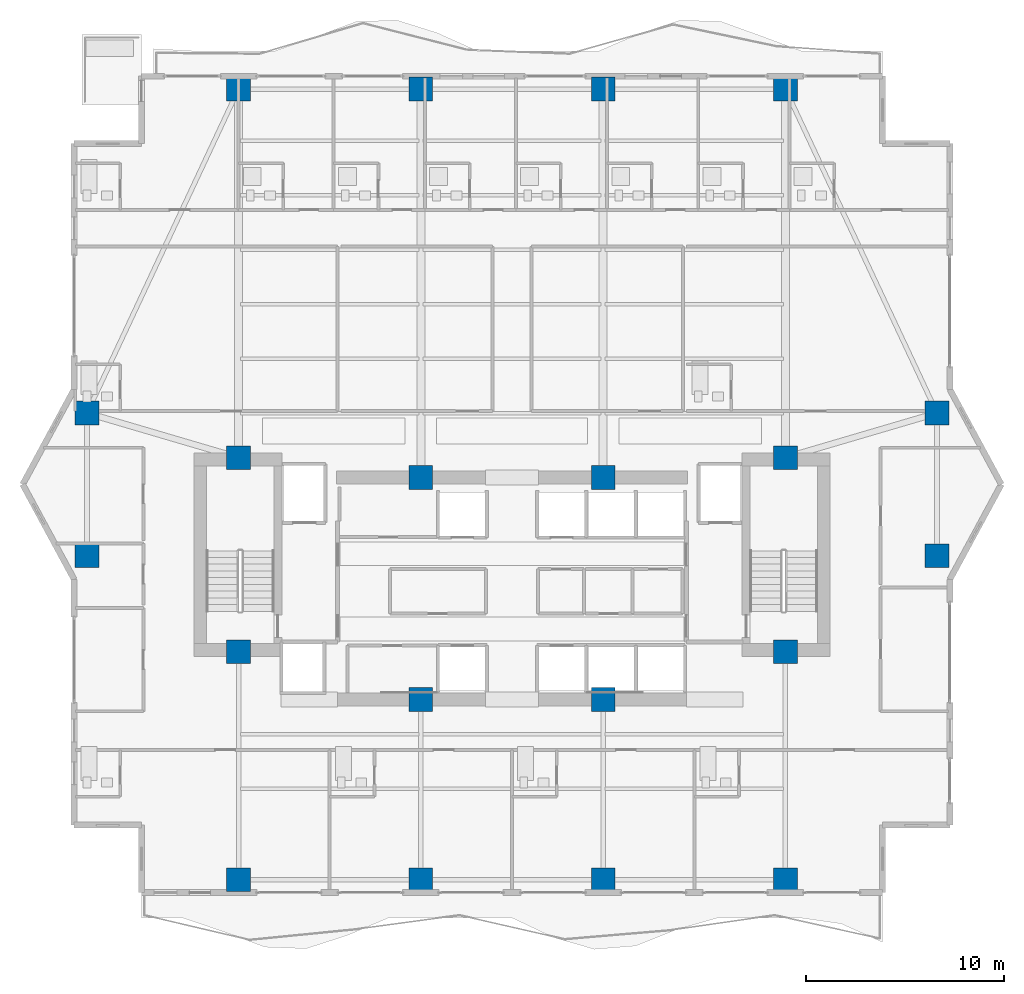
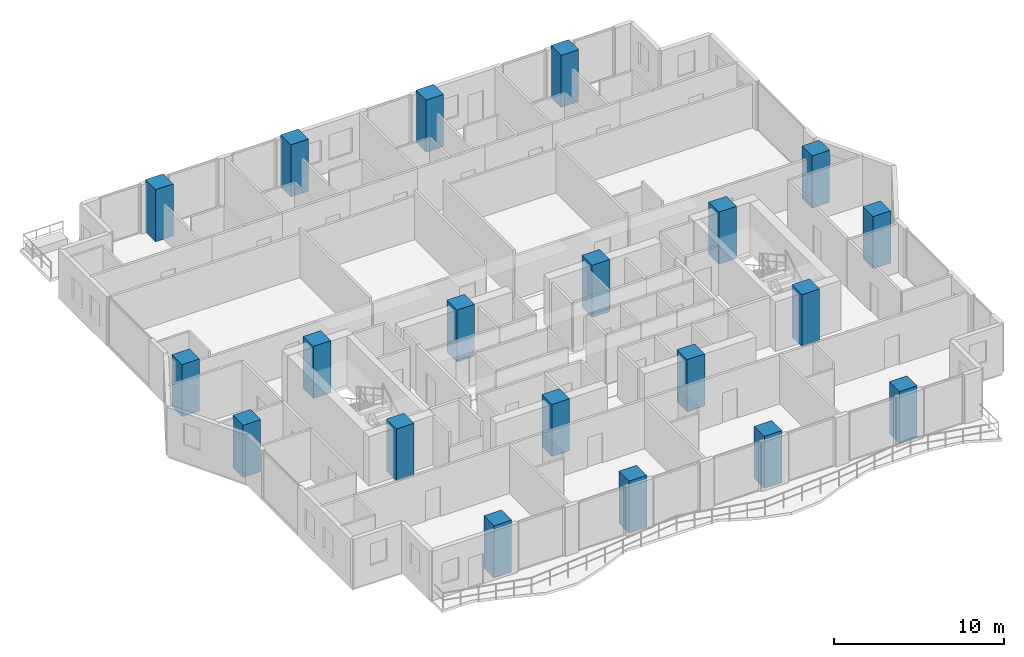
# One storey, part 1 of 33: 20 columns.
"""IFC4 building model written with IfcOpenShell, lengths in metres."""

from ifc_helpers import new_model, si_unit, direction, frame, origin, origin_2d, place, context, subcontext, project, spatial, rectangle, extrude, material, material_profile, profile_set, type_object, element, save


model = new_model("IFC4")

# Units and contexts
model_context = context("Model", 3, precision=1e-05, world=origin(), true_north=direction((0.0, 1.0)))
body_context = subcontext(model_context, "Body", "Model", "MODEL_VIEW")
ifc_project = project(units=[si_unit("LENGTHUNIT", "METRE"), si_unit("AREAUNIT", "SQUARE_METRE"), si_unit("VOLUMEUNIT", "CUBIC_METRE"), si_unit("PLANEANGLEUNIT", "RADIAN"), si_unit("MASSUNIT", "GRAM", prefix="KILO")], contexts=[model_context])

# Site, building, storey
site_placement = place(None, origin())
site = spatial("IfcSite", under=ifc_project, at=site_placement, CompositionType="ELEMENT")
building_placement = place(site_placement, origin())
building = spatial("IfcBuilding", under=site, at=building_placement, Name="Zuhayl Quay Hotel", CompositionType="ELEMENT")
storey_placement = place(building_placement, frame((0.0, 0.0, 222.39990234375)))
storey = spatial("IfcBuildingStorey", under=building, at=storey_placement, Name="L56", CompositionType="ELEMENT", Elevation=222.39990234375)

# Columns
ifc_material = material(Name="Concrete C60/75", Category="concrete")
ifc_material_profile_1 = material_profile(ifc_material, rectangle(XDim=1.199951171875, YDim=1.199951171875, at=origin_2d()), Name="RC1200X1200")
ifc_profile_set_1 = profile_set([ifc_material_profile_1], Name="Concrete C60/75")
column_type_1 = type_object("IfcColumnType", Name="CL_CC2_1200", PredefinedType="COLUMN", material=ifc_profile_set_1)
for number, where, z_axis, x_axis, name in (
    (1, (-13.800048828125, 14.35009765625, 0.0), (0.0, 0.0, 1.0), (1.0, 0.0, 0.0), "L56 Core Column CC_NW"),
    (2, (-4.60009765625, 13.35009765625, 0.0), (0.0, 0.0, 1.0), (1.0, 0.0, 0.0), "L56 Core Column CC_CNW"),
    (3, (4.60009765625, 13.35009765625, 0.0), (0.0, 0.0, 1.0), (1.0, 0.0, 0.0), "L56 Core Column CC_CNE"),
    (4, (13.800048828125, 14.35009765625, 0.0), (0.0, 0.0, 1.0), (1.0, 0.0, 0.0), "L56 Core Column CC_NE"),
    (5, (-13.800048828125, 4.550048828125, 0.0), (0.0, 0.0, 1.0), (1.0, 0.0, 0.0), "L56 Core Column CC_SW"),
    (6, (-4.60009765625, 2.14990234375, 0.0), (0.0, 0.0, 1.0), (1.0, 0.0, 0.0), "L56 Core Column CC_CSW"),
    (7, (4.60009765625, 2.14990234375, 0.0), (0.0, 0.0, 1.0), (1.0, 0.0, 0.0), "L56 Core Column CC_CSE"),
    (8, (13.800048828125, 4.550048828125, 0.0), (0.0, 0.0, 1.0), (1.0, 0.0, 0.0), "L56 Core Column CC_SE"),
):
    element("IfcColumn", number, at=place(storey_placement, frame(where, z_axis=z_axis, x_axis=x_axis)), inside=storey, type_object=column_type_1, Name=name, PredefinedType="COLUMN", context=body_context, shape_type="SweptSolid", body=[
        extrude(rectangle(XDim=1.199951171875, YDim=1.199951171875, at=origin_2d()), origin(), (0.0, 0.0, 1.0), 3.75),
    ])
ifc_material_profile_2 = material_profile(ifc_material, rectangle(XDim=1.199951171875, YDim=1.199951171875, at=origin_2d()), Name="RC1200X1200")
ifc_profile_set_2 = profile_set([ifc_material_profile_2], Name="Concrete C60/75")
column_type_2 = type_object("IfcColumnType", Name="CL_MC3_1200", PredefinedType="COLUMN", material=ifc_profile_set_2)
for number, where, z_axis, x_axis, name in (
    (9, (-13.800048828125, -6.949951171875, 0.0), (0.0, 0.0, 1.0), (1.0, 0.0, 0.0), "L56 Mega-Column MC_S1"),
    (10, (-4.60009765625, -6.949951171875, 0.0), (0.0, 0.0, 1.0), (1.0, 0.0, 0.0), "L56 Mega-Column MC_S2"),
    (11, (4.60009765625, -6.949951171875, 0.0), (0.0, 0.0, 1.0), (1.0, 0.0, 0.0), "L56 Mega-Column MC_S3"),
    (12, (13.800048828125, -6.949951171875, 0.0), (0.0, 0.0, 1.0), (1.0, 0.0, 0.0), "L56 Mega-Column MC_S4"),
    (13, (-13.800048828125, 32.949951171875, 0.0), (0.0, 0.0, 1.0), (1.0, 0.0, 0.0), "L56 Mega-Column MC_N1"),
    (14, (-4.60009765625, 32.949951171875, 0.0), (0.0, 0.0, 1.0), (1.0, 0.0, 0.0), "L56 Mega-Column MC_N2"),
    (15, (4.60009765625, 32.949951171875, 0.0), (0.0, 0.0, 1.0), (1.0, 0.0, 0.0), "L56 Mega-Column MC_N3"),
    (16, (13.800048828125, 32.949951171875, 0.0), (0.0, 0.0, 1.0), (1.0, 0.0, 0.0), "L56 Mega-Column MC_N4"),
    (17, (-21.449951171875, 9.39990234375, 0.0), (0.0, 0.0, 1.0), (1.0, 0.0, 0.0), "L56 Mega-Column MC_W1"),
    (18, (-21.449951171875, 16.60009765625, 0.0), (0.0, 0.0, 1.0), (1.0, 0.0, 0.0), "L56 Mega-Column MC_W2"),
    (19, (21.449951171875, 9.39990234375, 0.0), (0.0, 0.0, 1.0), (1.0, 0.0, 0.0), "L56 Mega-Column MC_E1"),
    (20, (21.449951171875, 16.60009765625, 0.0), (0.0, 0.0, 1.0), (1.0, 0.0, 0.0), "L56 Mega-Column MC_E2"),
):
    element("IfcColumn", number, at=place(storey_placement, frame(where, z_axis=z_axis, x_axis=x_axis)), inside=storey, type_object=column_type_2, Name=name, PredefinedType="COLUMN", context=body_context, shape_type="SweptSolid", body=[
        extrude(rectangle(XDim=1.199951171875, YDim=1.199951171875, at=origin_2d()), origin(), (0.0, 0.0, 1.0), 3.75),
    ])

save(model, "model.ifc")
